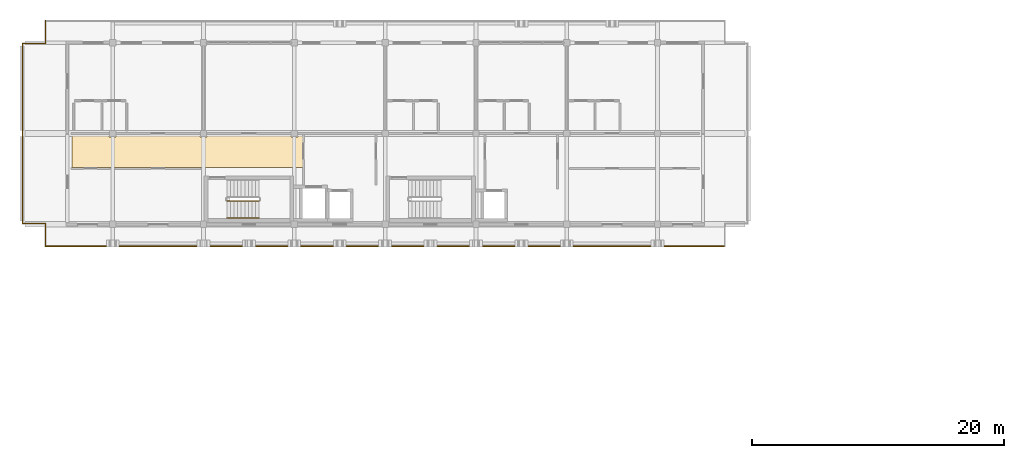
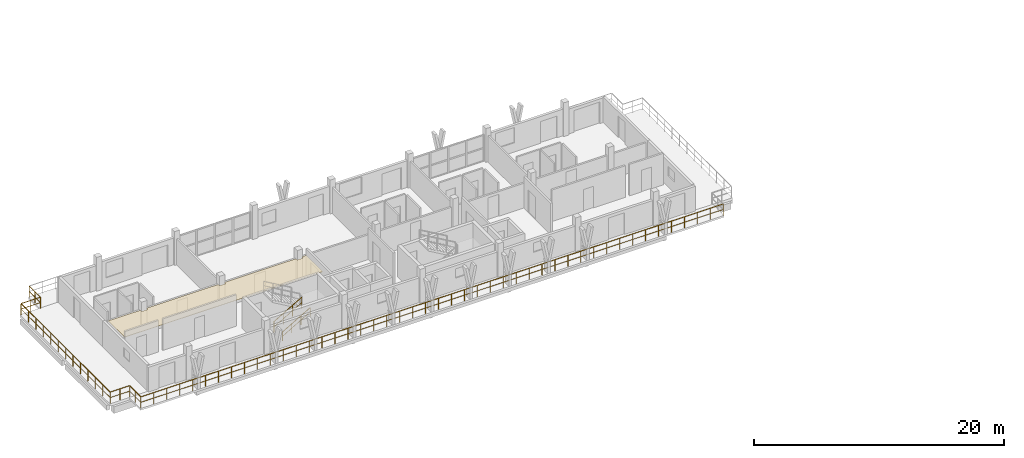
# One storey, part 17 of 19: 8 railings, 1 covering.
"""IFC4 building model written with IfcOpenShell, lengths in metres."""

from ifc_helpers import new_model, si_unit, direction, frame, origin, origin_2d, place, context, subcontext, project, spatial, polyline, rectangle, outline, extrude, material, layer, layer_set, type_object, element, save


model = new_model("IFC4")

# Units and contexts
model_context = context("Model", 3, precision=1e-05, world=origin(), true_north=direction((0.0, 1.0)))
body_context = subcontext(model_context, "Body", "Model", "MODEL_VIEW")
ifc_project = project(units=[si_unit("LENGTHUNIT", "METRE"), si_unit("AREAUNIT", "SQUARE_METRE"), si_unit("VOLUMEUNIT", "CUBIC_METRE"), si_unit("PLANEANGLEUNIT", "RADIAN"), si_unit("MASSUNIT", "GRAM", prefix="KILO")], contexts=[model_context])

# Site, building, storey
site_placement = place(None, origin())
site = spatial("IfcSite", under=ifc_project, at=site_placement, CompositionType="ELEMENT")
building_placement = place(site_placement, origin())
building = spatial("IfcBuilding", under=site, at=building_placement, Name="Suanplinth Sawtooth Commons", CompositionType="ELEMENT")
storey_placement = place(building_placement, frame((0.0, 0.0, 44.39990234375)))
storey = spatial("IfcBuildingStorey", under=building, at=storey_placement, Name="L13", CompositionType="ELEMENT", Elevation=44.39990234375)

# Covering
ifc_material_1 = material(Name="Mineral fibre acoustic tile")
ifc_layer = layer(ifc_material_1, 0.0400390625, Name="Perforated mineral-fibre acoustic suspended ceiling")
ifc_layer_set = layer_set([ifc_layer], Name="Mineral fibre acoustic tile")
covering_type = type_object("IfcCoveringType", Name="CV-CE01", PredefinedType="CEILING", material=ifc_layer_set)
covering_placement = place(storey_placement, frame((0.0, 0.0, 2.380126953125)))
element("IfcCovering", 1, at=covering_placement, inside=storey, type_object=covering_type, Name="L13 Block A Corridor Acoustic Ceiling", PredefinedType="CEILING", context=body_context, shape_type="SweptSolid", body=[
    extrude(outline(polyline([(32.760009765625, 112.5), (32.760009765625, 115.1201171875), (35.719970703125, 115.1201171875), (35.719970703125, 114.919921875), (36.280029296875, 114.919921875), (36.280029296875, 115.1201171875), (42.919921875, 115.1201171875), (42.919921875, 114.919921875), (43.47998046875, 114.919921875), (43.47998046875, 115.1201171875), (50.1201171875, 115.1201171875), (50.1201171875, 114.919921875), (50.679931640625, 114.919921875), (50.679931640625, 115.1201171875), (51.080078125, 115.1201171875), (51.080078125, 112.5), (32.760009765625, 112.5)])), origin(), (0.0, 0.0, 1.0), 0.0400390625),
])

# Railings
ifc_material_2 = material(Name="Powder-coated galvanized steel", Category="steel")
railing_type_1 = type_object("IfcRailingType", Name="GR-01", PredefinedType="BALUSTRADE", material=ifc_material_2)
railing_1_placement = place(storey_placement, frame((30.659912109375, 108.06005859375, 0.0)))
element("IfcRailing", 2, at=railing_1_placement, inside=storey, type_object=railing_type_1, Name="L13 Block A Perimeter Balustrade 1", PredefinedType="BALUSTRADE", context=body_context, shape_type="SweptSolid", body=[
    extrude(rectangle(XDim=0.048095703125, YDim=0.048095703125, at=origin_2d()), frame((0.0, 0.0, 1.09619140625), z_axis=(-1.0, 0.0, 0.0), x_axis=(0.0, -1.0, 0.0)), (0.0, 0.0, 1.0), 1.7998046875),
    extrude(rectangle(XDim=0.03369140625, YDim=0.03369140625, at=origin_2d()), frame((0.0, 0.0, 0.56005859375), z_axis=(-1.0, 0.0, 0.0), x_axis=(0.0, -1.0, 0.0)), (0.0, 0.0, 1.0), 1.7998046875),
    extrude(rectangle(XDim=0.0419921875, YDim=0.0419921875, at=origin_2d()), origin(), (0.0, 0.0, 1.0), 1.072021484375),
    extrude(rectangle(XDim=0.0419921875, YDim=0.0419921875, at=origin_2d()), frame((-0.89990234375, 0.0, 0.0)), (0.0, 0.0, 1.0), 1.072021484375),
    extrude(rectangle(XDim=0.0419921875, YDim=0.0419921875, at=origin_2d()), frame((-1.7998046875, 0.0, 0.0)), (0.0, 0.0, 1.0), 1.072021484375),
])
railing_2_placement = place(storey_placement, frame((28.860107421875, 108.06005859375, 0.0)))
element("IfcRailing", 3, at=railing_2_placement, inside=storey, type_object=railing_type_1, Name="L13 Block A Perimeter Balustrade 2", PredefinedType="BALUSTRADE", context=body_context, shape_type="SweptSolid", body=[
    extrude(rectangle(XDim=0.048095703125, YDim=0.048095703125, at=origin_2d()), frame((0.0, 0.0, 1.09619140625), z_axis=(0.0, 1.0, 0.0), x_axis=(-1.0, 0.0, 0.0)), (0.0, 0.0, 1.0), 14.280029296875),
    extrude(rectangle(XDim=0.03369140625, YDim=0.03369140625, at=origin_2d()), frame((0.0, 0.0, 0.56005859375), z_axis=(0.0, 1.0, 0.0), x_axis=(-1.0, 0.0, 0.0)), (0.0, 0.0, 1.0), 14.280029296875),
    extrude(rectangle(XDim=0.0419921875, YDim=0.0419921875, at=origin_2d()), origin(), (0.0, 0.0, 1.0), 1.072021484375),
    extrude(rectangle(XDim=0.0419921875, YDim=0.0419921875, at=origin_2d()), frame((0.0, 1.18994140625, 0.0)), (0.0, 0.0, 1.0), 1.072021484375),
    extrude(rectangle(XDim=0.0419921875, YDim=0.0419921875, at=origin_2d()), frame((0.0, 2.3798828125, 0.0)), (0.0, 0.0, 1.0), 1.072021484375),
    extrude(rectangle(XDim=0.0419921875, YDim=0.0419921875, at=origin_2d()), frame((0.0, 3.570068359375, 0.0)), (0.0, 0.0, 1.0), 1.072021484375),
    extrude(rectangle(XDim=0.0419921875, YDim=0.0419921875, at=origin_2d()), frame((0.0, 4.760009765625, 0.0)), (0.0, 0.0, 1.0), 1.072021484375),
    extrude(rectangle(XDim=0.0419921875, YDim=0.0419921875, at=origin_2d()), frame((0.0, 5.949951171875, 0.0)), (0.0, 0.0, 1.0), 1.072021484375),
    extrude(rectangle(XDim=0.0419921875, YDim=0.0419921875, at=origin_2d()), frame((0.0, 7.14013671875, 0.0)), (0.0, 0.0, 1.0), 1.072021484375),
    extrude(rectangle(XDim=0.0419921875, YDim=0.0419921875, at=origin_2d()), frame((0.0, 8.330078125, 0.0)), (0.0, 0.0, 1.0), 1.072021484375),
    extrude(rectangle(XDim=0.0419921875, YDim=0.0419921875, at=origin_2d()), frame((0.0, 9.52001953125, 0.0)), (0.0, 0.0, 1.0), 1.072021484375),
    extrude(rectangle(XDim=0.0419921875, YDim=0.0419921875, at=origin_2d()), frame((0.0, 10.7099609375, 0.0)), (0.0, 0.0, 1.0), 1.072021484375),
    extrude(rectangle(XDim=0.0419921875, YDim=0.0419921875, at=origin_2d()), frame((0.0, 11.89990234375, 0.0)), (0.0, 0.0, 1.0), 1.072021484375),
    extrude(rectangle(XDim=0.0419921875, YDim=0.0419921875, at=origin_2d()), frame((0.0, 13.090087890625, 0.0)), (0.0, 0.0, 1.0), 1.072021484375),
    extrude(rectangle(XDim=0.0419921875, YDim=0.0419921875, at=origin_2d()), frame((0.0, 14.280029296875, 0.0)), (0.0, 0.0, 1.0), 1.072021484375),
])
railing_3_placement = place(storey_placement, frame((28.860107421875, 122.340087890625, 0.0)))
element("IfcRailing", 4, at=railing_3_placement, inside=storey, type_object=railing_type_1, Name="L13 Block A Perimeter Balustrade 3", PredefinedType="BALUSTRADE", context=body_context, shape_type="SweptSolid", body=[
    extrude(rectangle(XDim=0.048095703125, YDim=0.048095703125, at=origin_2d()), frame((0.0, 0.0, 1.09619140625), z_axis=(1.0, 0.0, 0.0), x_axis=(0.0, 1.0, 0.0)), (0.0, 0.0, 1.0), 1.7998046875),
    extrude(rectangle(XDim=0.03369140625, YDim=0.03369140625, at=origin_2d()), frame((0.0, 0.0, 0.56005859375), z_axis=(1.0, 0.0, 0.0), x_axis=(0.0, 1.0, 0.0)), (0.0, 0.0, 1.0), 1.7998046875),
    extrude(rectangle(XDim=0.0419921875, YDim=0.0419921875, at=origin_2d()), origin(), (0.0, 0.0, 1.0), 1.072021484375),
    extrude(rectangle(XDim=0.0419921875, YDim=0.0419921875, at=origin_2d()), frame((0.89990234375, 0.0, 0.0)), (0.0, 0.0, 1.0), 1.072021484375),
    extrude(rectangle(XDim=0.0419921875, YDim=0.0419921875, at=origin_2d()), frame((1.7998046875, 0.0, 0.0)), (0.0, 0.0, 1.0), 1.072021484375),
])
railing_4_placement = place(storey_placement, frame((30.659912109375, 122.340087890625, 0.0)))
element("IfcRailing", 5, at=railing_4_placement, inside=storey, type_object=railing_type_1, Name="L13 Block A Perimeter Balustrade 4", PredefinedType="BALUSTRADE", context=body_context, shape_type="SweptSolid", body=[
    extrude(rectangle(XDim=0.048095703125, YDim=0.048095703125, at=origin_2d()), frame((0.0, 0.0, 1.09619140625), z_axis=(0.0, 1.0, 0.0), x_axis=(-1.0, 0.0, 0.0)), (0.0, 0.0, 1.0), 1.7998046875),
    extrude(rectangle(XDim=0.03369140625, YDim=0.03369140625, at=origin_2d()), frame((0.0, 0.0, 0.56005859375), z_axis=(0.0, 1.0, 0.0), x_axis=(-1.0, 0.0, 0.0)), (0.0, 0.0, 1.0), 1.7998046875),
    extrude(rectangle(XDim=0.0419921875, YDim=0.0419921875, at=origin_2d()), origin(), (0.0, 0.0, 1.0), 1.072021484375),
    extrude(rectangle(XDim=0.0419921875, YDim=0.0419921875, at=origin_2d()), frame((0.0, 0.89990234375, 0.0)), (0.0, 0.0, 1.0), 1.072021484375),
    extrude(rectangle(XDim=0.0419921875, YDim=0.0419921875, at=origin_2d()), frame((0.0, 1.7998046875, 0.0)), (0.0, 0.0, 1.0), 1.072021484375),
])
railing_5_placement = place(storey_placement, frame((84.5400390625, 106.260009765625, 0.0)))
element("IfcRailing", 6, at=railing_5_placement, inside=storey, type_object=railing_type_1, Name="L13 Block A Perimeter Balustrade 11", PredefinedType="BALUSTRADE", context=body_context, shape_type="SweptSolid", body=[
    extrude(rectangle(XDim=0.048095703125, YDim=0.048095703125, at=origin_2d()), frame((0.0, 0.0, 1.09619140625), z_axis=(-1.0, 0.0, 0.0), x_axis=(0.0, -1.0, 0.0)), (0.0, 0.0, 1.0), 53.880126953125),
    extrude(rectangle(XDim=0.03369140625, YDim=0.03369140625, at=origin_2d()), frame((0.0, 0.0, 0.56005859375), z_axis=(-1.0, 0.0, 0.0), x_axis=(0.0, -1.0, 0.0)), (0.0, 0.0, 1.0), 53.880126953125),
    extrude(rectangle(XDim=0.0419921875, YDim=0.0419921875, at=origin_2d()), origin(), (0.0, 0.0, 1.0), 1.072021484375),
    extrude(rectangle(XDim=0.0419921875, YDim=0.0419921875, at=origin_2d()), frame((-1.197265625, 0.0, 0.0)), (0.0, 0.0, 1.0), 1.072021484375),
    extrude(rectangle(XDim=0.0419921875, YDim=0.0419921875, at=origin_2d()), frame((-2.394775390625, 0.0, 0.0)), (0.0, 0.0, 1.0), 1.072021484375),
    extrude(rectangle(XDim=0.0419921875, YDim=0.0419921875, at=origin_2d()), frame((-3.592041015625, 0.0, 0.0)), (0.0, 0.0, 1.0), 1.072021484375),
    extrude(rectangle(XDim=0.0419921875, YDim=0.0419921875, at=origin_2d()), frame((-4.789306640625, 0.0, 0.0)), (0.0, 0.0, 1.0), 1.072021484375),
    extrude(rectangle(XDim=0.0419921875, YDim=0.0419921875, at=origin_2d()), frame((-5.986572265625, 0.0, 0.0)), (0.0, 0.0, 1.0), 1.072021484375),
    extrude(rectangle(XDim=0.0419921875, YDim=0.0419921875, at=origin_2d()), frame((-7.18408203125, 0.0, 0.0)), (0.0, 0.0, 1.0), 1.072021484375),
    extrude(rectangle(XDim=0.0419921875, YDim=0.0419921875, at=origin_2d()), frame((-8.38134765625, 0.0, 0.0)), (0.0, 0.0, 1.0), 1.072021484375),
    extrude(rectangle(XDim=0.0419921875, YDim=0.0419921875, at=origin_2d()), frame((-9.57861328125, 0.0, 0.0)), (0.0, 0.0, 1.0), 1.072021484375),
    extrude(rectangle(XDim=0.0419921875, YDim=0.0419921875, at=origin_2d()), frame((-10.776123046875, 0.0, 0.0)), (0.0, 0.0, 1.0), 1.072021484375),
    extrude(rectangle(XDim=0.0419921875, YDim=0.0419921875, at=origin_2d()), frame((-11.973388671875, 0.0, 0.0)), (0.0, 0.0, 1.0), 1.072021484375),
    extrude(rectangle(XDim=0.0419921875, YDim=0.0419921875, at=origin_2d()), frame((-13.170654296875, 0.0, 0.0)), (0.0, 0.0, 1.0), 1.072021484375),
    extrude(rectangle(XDim=0.0419921875, YDim=0.0419921875, at=origin_2d()), frame((-14.367919921875, 0.0, 0.0)), (0.0, 0.0, 1.0), 1.072021484375),
    extrude(rectangle(XDim=0.0419921875, YDim=0.0419921875, at=origin_2d()), frame((-15.5654296875, 0.0, 0.0)), (0.0, 0.0, 1.0), 1.072021484375),
    extrude(rectangle(XDim=0.0419921875, YDim=0.0419921875, at=origin_2d()), frame((-16.7626953125, 0.0, 0.0)), (0.0, 0.0, 1.0), 1.072021484375),
    extrude(rectangle(XDim=0.0419921875, YDim=0.0419921875, at=origin_2d()), frame((-17.9599609375, 0.0, 0.0)), (0.0, 0.0, 1.0), 1.072021484375),
    extrude(rectangle(XDim=0.0419921875, YDim=0.0419921875, at=origin_2d()), frame((-19.157470703125, 0.0, 0.0)), (0.0, 0.0, 1.0), 1.072021484375),
    extrude(rectangle(XDim=0.0419921875, YDim=0.0419921875, at=origin_2d()), frame((-20.354736328125, 0.0, 0.0)), (0.0, 0.0, 1.0), 1.072021484375),
    extrude(rectangle(XDim=0.0419921875, YDim=0.0419921875, at=origin_2d()), frame((-21.552001953125, 0.0, 0.0)), (0.0, 0.0, 1.0), 1.072021484375),
    extrude(rectangle(XDim=0.0419921875, YDim=0.0419921875, at=origin_2d()), frame((-22.749267578125, 0.0, 0.0)), (0.0, 0.0, 1.0), 1.072021484375),
    extrude(rectangle(XDim=0.0419921875, YDim=0.0419921875, at=origin_2d()), frame((-23.94677734375, 0.0, 0.0)), (0.0, 0.0, 1.0), 1.072021484375),
    extrude(rectangle(XDim=0.0419921875, YDim=0.0419921875, at=origin_2d()), frame((-25.14404296875, 0.0, 0.0)), (0.0, 0.0, 1.0), 1.072021484375),
    extrude(rectangle(XDim=0.0419921875, YDim=0.0419921875, at=origin_2d()), frame((-26.34130859375, 0.0, 0.0)), (0.0, 0.0, 1.0), 1.072021484375),
    extrude(rectangle(XDim=0.0419921875, YDim=0.0419921875, at=origin_2d()), frame((-27.538818359375, 0.0, 0.0)), (0.0, 0.0, 1.0), 1.072021484375),
    extrude(rectangle(XDim=0.0419921875, YDim=0.0419921875, at=origin_2d()), frame((-28.736083984375, 0.0, 0.0)), (0.0, 0.0, 1.0), 1.072021484375),
    extrude(rectangle(XDim=0.0419921875, YDim=0.0419921875, at=origin_2d()), frame((-29.933349609375, 0.0, 0.0)), (0.0, 0.0, 1.0), 1.072021484375),
    extrude(rectangle(XDim=0.0419921875, YDim=0.0419921875, at=origin_2d()), frame((-31.130859375, 0.0, 0.0)), (0.0, 0.0, 1.0), 1.072021484375),
    extrude(rectangle(XDim=0.0419921875, YDim=0.0419921875, at=origin_2d()), frame((-32.328125, 0.0, 0.0)), (0.0, 0.0, 1.0), 1.072021484375),
    extrude(rectangle(XDim=0.0419921875, YDim=0.0419921875, at=origin_2d()), frame((-33.525390625, 0.0, 0.0)), (0.0, 0.0, 1.0), 1.072021484375),
    extrude(rectangle(XDim=0.0419921875, YDim=0.0419921875, at=origin_2d()), frame((-34.72265625, 0.0, 0.0)), (0.0, 0.0, 1.0), 1.072021484375),
    extrude(rectangle(XDim=0.0419921875, YDim=0.0419921875, at=origin_2d()), frame((-35.920166015625, 0.0, 0.0)), (0.0, 0.0, 1.0), 1.072021484375),
    extrude(rectangle(XDim=0.0419921875, YDim=0.0419921875, at=origin_2d()), frame((-37.117431640625, 0.0, 0.0)), (0.0, 0.0, 1.0), 1.072021484375),
    extrude(rectangle(XDim=0.0419921875, YDim=0.0419921875, at=origin_2d()), frame((-38.314697265625, 0.0, 0.0)), (0.0, 0.0, 1.0), 1.072021484375),
    extrude(rectangle(XDim=0.0419921875, YDim=0.0419921875, at=origin_2d()), frame((-39.51220703125, 0.0, 0.0)), (0.0, 0.0, 1.0), 1.072021484375),
    extrude(rectangle(XDim=0.0419921875, YDim=0.0419921875, at=origin_2d()), frame((-40.70947265625, 0.0, 0.0)), (0.0, 0.0, 1.0), 1.072021484375),
    extrude(rectangle(XDim=0.0419921875, YDim=0.0419921875, at=origin_2d()), frame((-41.90673828125, 0.0, 0.0)), (0.0, 0.0, 1.0), 1.072021484375),
    extrude(rectangle(XDim=0.0419921875, YDim=0.0419921875, at=origin_2d()), frame((-43.10400390625, 0.0, 0.0)), (0.0, 0.0, 1.0), 1.072021484375),
    extrude(rectangle(XDim=0.0419921875, YDim=0.0419921875, at=origin_2d()), frame((-44.301513671875, 0.0, 0.0)), (0.0, 0.0, 1.0), 1.072021484375),
    extrude(rectangle(XDim=0.0419921875, YDim=0.0419921875, at=origin_2d()), frame((-45.498779296875, 0.0, 0.0)), (0.0, 0.0, 1.0), 1.072021484375),
    extrude(rectangle(XDim=0.0419921875, YDim=0.0419921875, at=origin_2d()), frame((-46.696044921875, 0.0, 0.0)), (0.0, 0.0, 1.0), 1.072021484375),
    extrude(rectangle(XDim=0.0419921875, YDim=0.0419921875, at=origin_2d()), frame((-47.8935546875, 0.0, 0.0)), (0.0, 0.0, 1.0), 1.072021484375),
    extrude(rectangle(XDim=0.0419921875, YDim=0.0419921875, at=origin_2d()), frame((-49.0908203125, 0.0, 0.0)), (0.0, 0.0, 1.0), 1.072021484375),
    extrude(rectangle(XDim=0.0419921875, YDim=0.0419921875, at=origin_2d()), frame((-50.2880859375, 0.0, 0.0)), (0.0, 0.0, 1.0), 1.072021484375),
    extrude(rectangle(XDim=0.0419921875, YDim=0.0419921875, at=origin_2d()), frame((-51.4853515625, 0.0, 0.0)), (0.0, 0.0, 1.0), 1.072021484375),
    extrude(rectangle(XDim=0.0419921875, YDim=0.0419921875, at=origin_2d()), frame((-52.682861328125, 0.0, 0.0)), (0.0, 0.0, 1.0), 1.072021484375),
    extrude(rectangle(XDim=0.0419921875, YDim=0.0419921875, at=origin_2d()), frame((-53.880126953125, 0.0, 0.0)), (0.0, 0.0, 1.0), 1.072021484375),
])
railing_6_placement = place(storey_placement, frame((30.659912109375, 106.260009765625, 0.0)))
element("IfcRailing", 7, at=railing_6_placement, inside=storey, type_object=railing_type_1, Name="L13 Block A Perimeter Balustrade 12", PredefinedType="BALUSTRADE", context=body_context, shape_type="SweptSolid", body=[
    extrude(rectangle(XDim=0.048095703125, YDim=0.048095703125, at=origin_2d()), frame((0.0, 0.0, 1.09619140625), z_axis=(0.0, 1.0, 0.0), x_axis=(-1.0, 0.0, 0.0)), (0.0, 0.0, 1.0), 1.800048828125),
    extrude(rectangle(XDim=0.03369140625, YDim=0.03369140625, at=origin_2d()), frame((0.0, 0.0, 0.56005859375), z_axis=(0.0, 1.0, 0.0), x_axis=(-1.0, 0.0, 0.0)), (0.0, 0.0, 1.0), 1.800048828125),
    extrude(rectangle(XDim=0.0419921875, YDim=0.0419921875, at=origin_2d()), origin(), (0.0, 0.0, 1.0), 1.072021484375),
    extrude(rectangle(XDim=0.0419921875, YDim=0.0419921875, at=origin_2d()), frame((0.0, 0.89990234375, 0.0)), (0.0, 0.0, 1.0), 1.072021484375),
    extrude(rectangle(XDim=0.0419921875, YDim=0.0419921875, at=origin_2d()), frame((0.0, 1.800048828125, 0.0)), (0.0, 0.0, 1.0), 1.072021484375),
])
ifc_material_3 = material(Name="Stainless steel Grade 304", Category="steel")
railing_type_2 = type_object("IfcRailingType", Name="GR-04", PredefinedType="GUARDRAIL", material=ifc_material_3)
railing_7_placement = place(storey_placement, frame((45.050048828125, 109.85009765625, 0.1650390625)))
element("IfcRailing", 8, at=railing_7_placement, inside=storey, type_object=railing_type_2, Name="L13 ST-N1 Guard 1", PredefinedType="GUARDRAIL", context=body_context, shape_type="SweptSolid", body=[
    extrude(rectangle(XDim=0.048095703125, YDim=0.048095703125, at=origin_2d()), frame((0.0, 0.0, 1.076171875), z_axis=(0.865405606168, 0.0, 0.501071987656), x_axis=(0.0, 1.0, 0.0)), (0.0, 0.0, 1.0), 2.9638671875),
    extrude(rectangle(XDim=0.03369140625, YDim=0.03369140625, at=origin_2d()), frame((0.0, 0.0, 0.550048828125), z_axis=(0.865405606168, 0.0, 0.501071987656), x_axis=(0.0, 1.0, 0.0)), (0.0, 0.0, 1.0), 2.9638671875),
    extrude(rectangle(XDim=0.0419921875, YDim=0.0419921875, at=origin_2d()), origin(), (0.0, 0.0, 1.0), 1.052001953125),
    extrude(rectangle(XDim=0.0419921875, YDim=0.0419921875, at=origin_2d()), frame((0.85498046875, 0.0, 0.4951171875)), (0.0, 0.0, 1.0), 1.052001953125),
    extrude(rectangle(XDim=0.0419921875, YDim=0.0419921875, at=origin_2d()), frame((1.7099609375, 0.0, 0.989990234375)), (0.0, 0.0, 1.0), 1.052001953125),
    extrude(rectangle(XDim=0.0419921875, YDim=0.0419921875, at=origin_2d()), frame((2.56494140625, 0.0, 1.485107421875)), (0.0, 0.0, 1.0), 1.052001953125),
])
railing_type_3 = type_object("IfcRailingType", Name="HR-01", PredefinedType="HANDRAIL", material=ifc_material_3)
railing_8_placement = place(storey_placement, frame((45.050048828125, 108.5, 0.1650390625)))
element("IfcRailing", 9, at=railing_8_placement, inside=storey, type_object=railing_type_3, Name="L13 ST-N1 Handrail 1", PredefinedType="HANDRAIL", context=body_context, shape_type="SweptSolid", body=[
    extrude(rectangle(XDim=0.048095703125, YDim=0.048095703125, at=origin_2d()), frame((0.0, 0.0, 0.8759765625), z_axis=(0.865405606168, 0.0, 0.501071987656), x_axis=(0.0, 1.0, 0.0)), (0.0, 0.0, 1.0), 2.9638671875),
    extrude(rectangle(XDim=0.03369140625, YDim=0.03369140625, at=origin_2d()), frame((0.0, 0.0, 0.449951171875), z_axis=(0.865405606168, 0.0, 0.501071987656), x_axis=(0.0, 1.0, 0.0)), (0.0, 0.0, 1.0), 2.9638671875),
    extrude(rectangle(XDim=0.0419921875, YDim=0.0419921875, at=origin_2d()), origin(), (0.0, 0.0, 1.0), 0.851806640625),
    extrude(rectangle(XDim=0.0419921875, YDim=0.0419921875, at=origin_2d()), frame((0.85498046875, 0.0, 0.4951171875)), (0.0, 0.0, 1.0), 0.851806640625),
    extrude(rectangle(XDim=0.0419921875, YDim=0.0419921875, at=origin_2d()), frame((1.7099609375, 0.0, 0.989990234375)), (0.0, 0.0, 1.0), 0.851806640625),
    extrude(rectangle(XDim=0.0419921875, YDim=0.0419921875, at=origin_2d()), frame((2.56494140625, 0.0, 1.485107421875)), (0.0, 0.0, 1.0), 0.851806640625),
])

save(model, "model.ifc")
